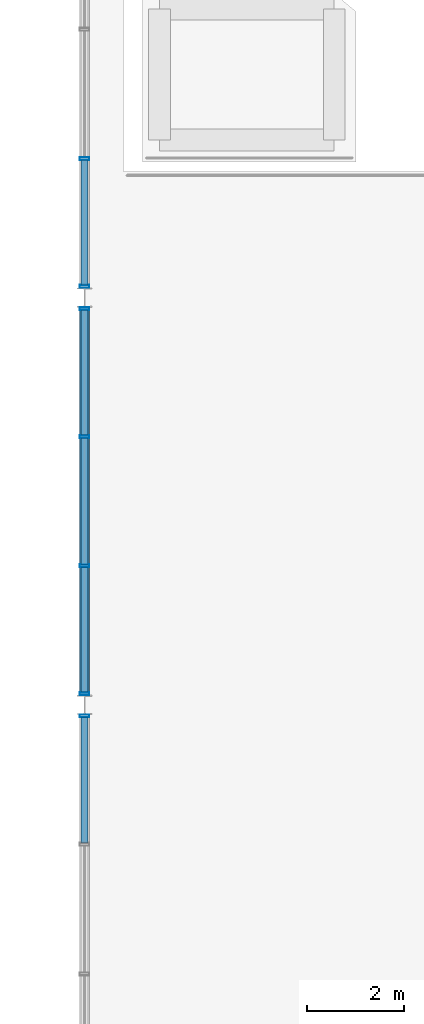
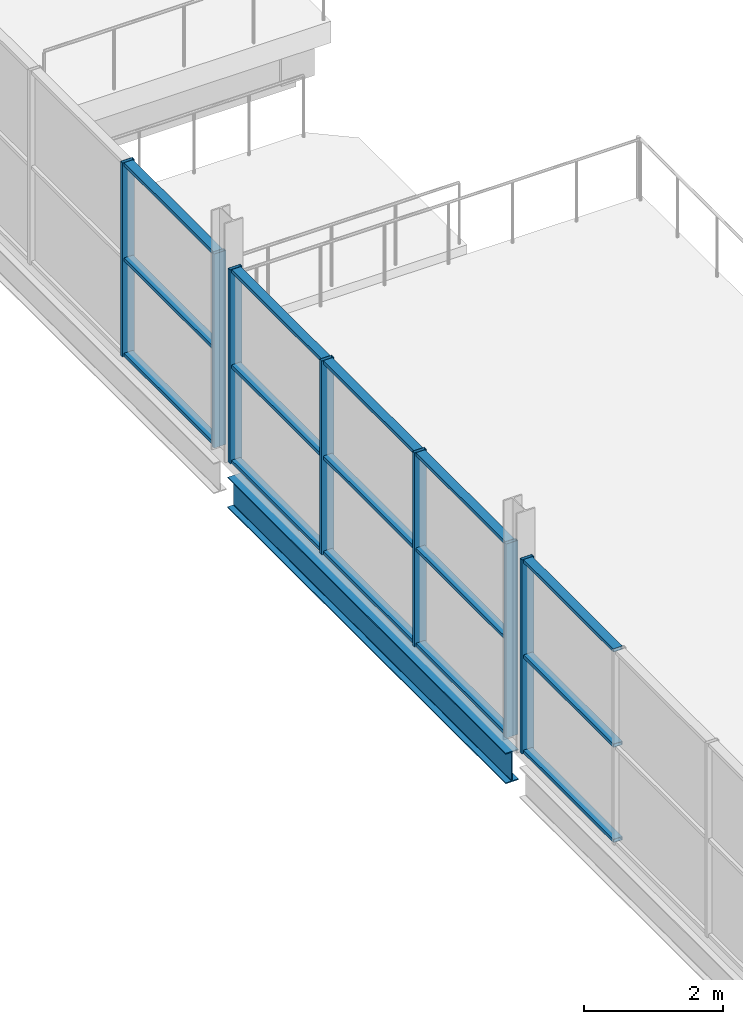
# One storey, part 21 of 93: 22 members, 1 beam, 3 elements without a shape of their own.
"""IFC4 building model written with IfcOpenShell, lengths in metres."""

from ifc_helpers import new_model, si_unit, direction, frame, origin, origin_2d, place, context, subcontext, project, spatial, hollow_rectangle, i_section, extrude, material, material_profile, profile_set, type_object, element, aggregate, save


model = new_model("IFC4")

# Units and contexts
model_context = context("Model", 3, precision=1e-05, world=origin(), true_north=direction((0.0, 1.0)))
body_context = subcontext(model_context, "Body", "Model", "MODEL_VIEW")
ifc_project = project(units=[si_unit("LENGTHUNIT", "METRE"), si_unit("AREAUNIT", "SQUARE_METRE"), si_unit("VOLUMEUNIT", "CUBIC_METRE"), si_unit("PLANEANGLEUNIT", "RADIAN"), si_unit("MASSUNIT", "GRAM", prefix="KILO"), si_unit("THERMODYNAMICTEMPERATUREUNIT", "KELVIN")], contexts=[model_context])

# Site, building, storey
site_placement = place(None, origin())
site = spatial("IfcSite", under=ifc_project, at=site_placement, CompositionType="ELEMENT")
building_placement = place(site_placement, origin())
building = spatial("IfcBuilding", under=site, at=building_placement, Name="Nduvali Passage Aquatics Centre", CompositionType="ELEMENT")
storey_placement = place(building_placement, frame((0.0, 0.0, 9.0)))
storey = spatial("IfcBuildingStorey", under=building, at=storey_placement, Name="L02", CompositionType="ELEMENT", Elevation=9.0)

# Curtain wall, member
ifc_material_1 = material(Name="Aluminium EN AW-6063 T6", Category="aluminium")
curtain_wall_type = type_object("IfcCurtainWallType", Name="ENV-CW-DIVE", PredefinedType="NOTDEFINED", material=ifc_material_1)
curtain_wall_1_placement = place(storey_placement, origin())
curtain_wall_1 = element("IfcCurtainWall", 1, at=curtain_wall_1_placement, inside=storey, type_object=curtain_wall_type, Name="L02 West Diving High Platform CW 129", PredefinedType="NOTDEFINED")
ifc_material_profile_1 = material_profile(ifc_material_1, hollow_rectangle(XDim=0.06005859375, YDim=0.199951171875, WallThickness=0.00390625, at=origin_2d()), Name="ALU MULLION 60x200x4")
ifc_profile_set_1 = profile_set([ifc_material_profile_1], Name="Aluminium EN AW-6063 T6")
member_type_1 = type_object("IfcMemberType", Name="ENV-MEM-MUL80", PredefinedType="MULLION", material=ifc_profile_set_1)
member_1_placement = place(storey_placement, frame((0.0, 50.169921875, 0.0), z_axis=(0.0, 0.0, 1.0), x_axis=(0.0, 1.0, 0.0)))
member_1 = element("IfcMember", 2, at=member_1_placement, type_object=member_type_1, Name="West Diving High Platform CW Mullion 4", PredefinedType="MULLION", context=body_context, shape_type="SweptSolid", body=[
    extrude(hollow_rectangle(XDim=0.06005859375, YDim=0.199951171875, WallThickness=0.00390625, at=origin_2d()), origin(), (0.0, 0.0, 1.0), 3.406494140625),
])

# Curtain wall, members
curtain_wall_2_placement = place(storey_placement, origin())
curtain_wall_2 = element("IfcCurtainWall", 3, at=curtain_wall_2_placement, inside=storey, type_object=curtain_wall_type, Name="L02 West Diving High Platform CW 134", PredefinedType="NOTDEFINED")
member_2_placement = place(storey_placement, frame((0.0, 50.6298828125, 0.0), z_axis=(0.0, 0.0, 1.0), x_axis=(0.0, 1.0, 0.0)))
member_2 = element("IfcMember", 4, at=member_2_placement, type_object=member_type_1, Name="West Diving High Platform CW Mullion 1", PredefinedType="MULLION", context=body_context, shape_type="SweptSolid", body=[
    extrude(hollow_rectangle(XDim=0.06005859375, YDim=0.199951171875, WallThickness=0.00390625, at=origin_2d()), origin(), (0.0, 0.0, 1.0), 3.406494140625),
])
member_3_placement = place(storey_placement, frame((0.0, 53.2666015625, 0.0), z_axis=(0.0, 0.0, 1.0), x_axis=(0.0, 1.0, 0.0)))
member_3 = element("IfcMember", 5, at=member_3_placement, type_object=member_type_1, Name="West Diving High Platform CW Mullion 2", PredefinedType="MULLION", context=body_context, shape_type="SweptSolid", body=[
    extrude(hollow_rectangle(XDim=0.06005859375, YDim=0.199951171875, WallThickness=0.00390625, at=origin_2d()), origin(), (0.0, 0.0, 1.0), 3.406494140625),
])
member_4_placement = place(storey_placement, frame((0.0, 55.933349609375, 0.0), z_axis=(0.0, 0.0, 1.0), x_axis=(0.0, 1.0, 0.0)))
member_4 = element("IfcMember", 6, at=member_4_placement, type_object=member_type_1, Name="West Diving High Platform CW Mullion 3", PredefinedType="MULLION", context=body_context, shape_type="SweptSolid", body=[
    extrude(hollow_rectangle(XDim=0.06005859375, YDim=0.199951171875, WallThickness=0.00390625, at=origin_2d()), origin(), (0.0, 0.0, 1.0), 3.406494140625),
])
member_5_placement = place(storey_placement, frame((0.0, 58.570068359375, 0.0), z_axis=(0.0, 0.0, 1.0), x_axis=(0.0, 1.0, 0.0)))
member_5 = element("IfcMember", 7, at=member_5_placement, type_object=member_type_1, Name="West Diving High Platform CW Mullion 4", PredefinedType="MULLION", context=body_context, shape_type="SweptSolid", body=[
    extrude(hollow_rectangle(XDim=0.06005859375, YDim=0.199951171875, WallThickness=0.00390625, at=origin_2d()), origin(), (0.0, 0.0, 1.0), 3.406494140625),
])

curtain_wall_3_placement = place(storey_placement, origin())
curtain_wall_3 = element("IfcCurtainWall", 8, at=curtain_wall_3_placement, inside=storey, type_object=curtain_wall_type, Name="L02 West Diving High Platform CW 139", PredefinedType="NOTDEFINED")
member_6_placement = place(storey_placement, frame((0.0, 59.030029296875, 0.0), z_axis=(0.0, 0.0, 1.0), x_axis=(0.0, 1.0, 0.0)))
member_6 = element("IfcMember", 9, at=member_6_placement, type_object=member_type_1, Name="West Diving High Platform CW Mullion 1", PredefinedType="MULLION", context=body_context, shape_type="SweptSolid", body=[
    extrude(hollow_rectangle(XDim=0.06005859375, YDim=0.199951171875, WallThickness=0.00390625, at=origin_2d()), origin(), (0.0, 0.0, 1.0), 3.406494140625),
])
member_7_placement = place(storey_placement, frame((0.0, 61.666748046875, 0.0), z_axis=(0.0, 0.0, 1.0), x_axis=(0.0, 1.0, 0.0)))
member_7 = element("IfcMember", 10, at=member_7_placement, type_object=member_type_1, Name="West Diving High Platform CW Mullion 2", PredefinedType="MULLION", context=body_context, shape_type="SweptSolid", body=[
    extrude(hollow_rectangle(XDim=0.06005859375, YDim=0.199951171875, WallThickness=0.00390625, at=origin_2d()), origin(), (0.0, 0.0, 1.0), 3.406494140625),
])

# Member
ifc_material_profile_2 = material_profile(ifc_material_1, hollow_rectangle(XDim=0.14990234375, YDim=0.06005859375, WallThickness=0.00390625, at=origin_2d()), Name="ALU TRANSOM 150x60x4")
ifc_profile_set_2 = profile_set([ifc_material_profile_2], Name="Aluminium EN AW-6063 T6")
member_type_2 = type_object("IfcMemberType", Name="ENV-MEM-TRN80", PredefinedType="USERDEFINED", material=ifc_profile_set_2)
member_8_placement = place(storey_placement, frame((0.0, 47.55322265625, 0.030029296875), z_axis=(0.0, 1.0, 0.0), x_axis=(-1.0, 0.0, 0.0)))
member_8 = element("IfcMember", 11, at=member_8_placement, type_object=member_type_2, Name="West Diving High Platform CW Transom B3-R0", ObjectType="TRANSOM", PredefinedType="USERDEFINED", context=body_context, shape_type="SweptSolid", body=[
    extrude(hollow_rectangle(XDim=0.14990234375, YDim=0.06005859375, WallThickness=0.00390625, at=origin_2d()), origin(), (0.0, 0.0, 1.0), 2.586669921875),
])

member_9_placement = place(storey_placement, frame((0.0, 47.55322265625, 1.703125), z_axis=(0.0, 1.0, 0.0), x_axis=(-1.0, 0.0, 0.0)))
member_9 = element("IfcMember", 12, at=member_9_placement, type_object=member_type_2, Name="West Diving High Platform CW Transom B3-R1", ObjectType="TRANSOM", PredefinedType="USERDEFINED", context=body_context, shape_type="SweptSolid", body=[
    extrude(hollow_rectangle(XDim=0.14990234375, YDim=0.06005859375, WallThickness=0.00390625, at=origin_2d()), origin(), (0.0, 0.0, 1.0), 2.586669921875),
])

member_10_placement = place(storey_placement, frame((0.0, 47.55322265625, 3.37646484375), z_axis=(0.0, 1.0, 0.0), x_axis=(-1.0, 0.0, 0.0)))
member_10 = element("IfcMember", 13, at=member_10_placement, type_object=member_type_2, Name="West Diving High Platform CW Transom B3-R2", ObjectType="TRANSOM", PredefinedType="USERDEFINED", context=body_context, shape_type="SweptSolid", body=[
    extrude(hollow_rectangle(XDim=0.14990234375, YDim=0.06005859375, WallThickness=0.00390625, at=origin_2d()), origin(), (0.0, 0.0, 1.0), 2.586669921875),
])

aggregate(curtain_wall_1, [member_1, member_8, member_9, member_10])

member_11_placement = place(storey_placement, frame((0.0, 50.659912109375, 0.030029296875), z_axis=(0.0, 1.0, 0.0), x_axis=(-1.0, 0.0, 0.0)))
member_11 = element("IfcMember", 14, at=member_11_placement, type_object=member_type_2, Name="West Diving High Platform CW Transom B1-R0", ObjectType="TRANSOM", PredefinedType="USERDEFINED", context=body_context, shape_type="SweptSolid", body=[
    extrude(hollow_rectangle(XDim=0.14990234375, YDim=0.06005859375, WallThickness=0.00390625, at=origin_2d()), origin(), (0.0, 0.0, 1.0), 2.576904296875),
])

member_12_placement = place(storey_placement, frame((0.0, 50.659912109375, 1.703125), z_axis=(0.0, 1.0, 0.0), x_axis=(-1.0, 0.0, 0.0)))
member_12 = element("IfcMember", 15, at=member_12_placement, type_object=member_type_2, Name="West Diving High Platform CW Transom B1-R1", ObjectType="TRANSOM", PredefinedType="USERDEFINED", context=body_context, shape_type="SweptSolid", body=[
    extrude(hollow_rectangle(XDim=0.14990234375, YDim=0.06005859375, WallThickness=0.00390625, at=origin_2d()), origin(), (0.0, 0.0, 1.0), 2.576904296875),
])

member_13_placement = place(storey_placement, frame((0.0, 50.659912109375, 3.37646484375), z_axis=(0.0, 1.0, 0.0), x_axis=(-1.0, 0.0, 0.0)))
member_13 = element("IfcMember", 16, at=member_13_placement, type_object=member_type_2, Name="West Diving High Platform CW Transom B1-R2", ObjectType="TRANSOM", PredefinedType="USERDEFINED", context=body_context, shape_type="SweptSolid", body=[
    extrude(hollow_rectangle(XDim=0.14990234375, YDim=0.06005859375, WallThickness=0.00390625, at=origin_2d()), origin(), (0.0, 0.0, 1.0), 2.576904296875),
])

member_14_placement = place(storey_placement, frame((0.0, 53.296630859375, 0.030029296875), z_axis=(0.0, 1.0, 0.0), x_axis=(-1.0, 0.0, 0.0)))
member_14 = element("IfcMember", 17, at=member_14_placement, type_object=member_type_2, Name="West Diving High Platform CW Transom B2-R0", ObjectType="TRANSOM", PredefinedType="USERDEFINED", context=body_context, shape_type="SweptSolid", body=[
    extrude(hollow_rectangle(XDim=0.14990234375, YDim=0.06005859375, WallThickness=0.00390625, at=origin_2d()), origin(), (0.0, 0.0, 1.0), 2.606689453125),
])

member_15_placement = place(storey_placement, frame((0.0, 53.296630859375, 1.703125), z_axis=(0.0, 1.0, 0.0), x_axis=(-1.0, 0.0, 0.0)))
member_15 = element("IfcMember", 18, at=member_15_placement, type_object=member_type_2, Name="West Diving High Platform CW Transom B2-R1", ObjectType="TRANSOM", PredefinedType="USERDEFINED", context=body_context, shape_type="SweptSolid", body=[
    extrude(hollow_rectangle(XDim=0.14990234375, YDim=0.06005859375, WallThickness=0.00390625, at=origin_2d()), origin(), (0.0, 0.0, 1.0), 2.606689453125),
])

member_16_placement = place(storey_placement, frame((0.0, 53.296630859375, 3.37646484375), z_axis=(0.0, 1.0, 0.0), x_axis=(-1.0, 0.0, 0.0)))
member_16 = element("IfcMember", 19, at=member_16_placement, type_object=member_type_2, Name="West Diving High Platform CW Transom B2-R2", ObjectType="TRANSOM", PredefinedType="USERDEFINED", context=body_context, shape_type="SweptSolid", body=[
    extrude(hollow_rectangle(XDim=0.14990234375, YDim=0.06005859375, WallThickness=0.00390625, at=origin_2d()), origin(), (0.0, 0.0, 1.0), 2.606689453125),
])

member_17_placement = place(storey_placement, frame((0.0, 55.96337890625, 0.030029296875), z_axis=(0.0, 1.0, 0.0), x_axis=(-1.0, 0.0, 0.0)))
member_17 = element("IfcMember", 20, at=member_17_placement, type_object=member_type_2, Name="West Diving High Platform CW Transom B3-R0", ObjectType="TRANSOM", PredefinedType="USERDEFINED", context=body_context, shape_type="SweptSolid", body=[
    extrude(hollow_rectangle(XDim=0.14990234375, YDim=0.06005859375, WallThickness=0.00390625, at=origin_2d()), origin(), (0.0, 0.0, 1.0), 2.57666015625),
])

member_18_placement = place(storey_placement, frame((0.0, 55.96337890625, 1.703125), z_axis=(0.0, 1.0, 0.0), x_axis=(-1.0, 0.0, 0.0)))
member_18 = element("IfcMember", 21, at=member_18_placement, type_object=member_type_2, Name="West Diving High Platform CW Transom B3-R1", ObjectType="TRANSOM", PredefinedType="USERDEFINED", context=body_context, shape_type="SweptSolid", body=[
    extrude(hollow_rectangle(XDim=0.14990234375, YDim=0.06005859375, WallThickness=0.00390625, at=origin_2d()), origin(), (0.0, 0.0, 1.0), 2.57666015625),
])

member_19_placement = place(storey_placement, frame((0.0, 55.96337890625, 3.37646484375), z_axis=(0.0, 1.0, 0.0), x_axis=(-1.0, 0.0, 0.0)))
member_19 = element("IfcMember", 22, at=member_19_placement, type_object=member_type_2, Name="West Diving High Platform CW Transom B3-R2", ObjectType="TRANSOM", PredefinedType="USERDEFINED", context=body_context, shape_type="SweptSolid", body=[
    extrude(hollow_rectangle(XDim=0.14990234375, YDim=0.06005859375, WallThickness=0.00390625, at=origin_2d()), origin(), (0.0, 0.0, 1.0), 2.57666015625),
])

aggregate(curtain_wall_2, [member_2, member_3, member_4, member_5, member_11, member_12, member_13, member_14, member_15, member_16, member_17, member_18, member_19])

member_20_placement = place(storey_placement, frame((0.0, 59.06005859375, 0.030029296875), z_axis=(0.0, 1.0, 0.0), x_axis=(-1.0, 0.0, 0.0)))
member_20 = element("IfcMember", 23, at=member_20_placement, type_object=member_type_2, Name="West Diving High Platform CW Transom B1-R0", ObjectType="TRANSOM", PredefinedType="USERDEFINED", context=body_context, shape_type="SweptSolid", body=[
    extrude(hollow_rectangle(XDim=0.14990234375, YDim=0.06005859375, WallThickness=0.00390625, at=origin_2d()), origin(), (0.0, 0.0, 1.0), 2.57666015625),
])

member_21_placement = place(storey_placement, frame((0.0, 59.06005859375, 1.703125), z_axis=(0.0, 1.0, 0.0), x_axis=(-1.0, 0.0, 0.0)))
member_21 = element("IfcMember", 24, at=member_21_placement, type_object=member_type_2, Name="West Diving High Platform CW Transom B1-R1", ObjectType="TRANSOM", PredefinedType="USERDEFINED", context=body_context, shape_type="SweptSolid", body=[
    extrude(hollow_rectangle(XDim=0.14990234375, YDim=0.06005859375, WallThickness=0.00390625, at=origin_2d()), origin(), (0.0, 0.0, 1.0), 2.57666015625),
])

member_22_placement = place(storey_placement, frame((0.0, 59.06005859375, 3.37646484375), z_axis=(0.0, 1.0, 0.0), x_axis=(-1.0, 0.0, 0.0)))
member_22 = element("IfcMember", 25, at=member_22_placement, type_object=member_type_2, Name="West Diving High Platform CW Transom B1-R2", ObjectType="TRANSOM", PredefinedType="USERDEFINED", context=body_context, shape_type="SweptSolid", body=[
    extrude(hollow_rectangle(XDim=0.14990234375, YDim=0.06005859375, WallThickness=0.00390625, at=origin_2d()), origin(), (0.0, 0.0, 1.0), 2.57666015625),
])

aggregate(curtain_wall_3, [member_6, member_7, member_20, member_21, member_22])

# Beam
ifc_material_2 = material(Name="Steel S355", Category="steel")
ifc_material_profile_3 = material_profile(ifc_material_2, i_section(OverallWidth=0.210693359375, OverallDepth=0.53955078125, WebThickness=0.01171875, FlangeThickness=0.018798828125, FilletRadius=0.0126953125, at=origin_2d()), Name="UKB 533x210x109")
ifc_profile_set_3 = profile_set([ifc_material_profile_3], Name="Steel S355")
beam_type = type_object("IfcBeamType", Name="STR-BM-UKB533-EXT", PredefinedType="BEAM", material=ifc_profile_set_3)
beam_placement = place(storey_placement, frame((0.0, 50.60009765625, -0.53369140625), z_axis=(0.0, 1.0, 0.0), x_axis=(-1.0, 0.0, 0.0)))
element("IfcBeam", 26, at=beam_placement, inside=storey, type_object=beam_type, Name="L02 Primary Y-Girder B6E-0952", PredefinedType="BEAM", context=body_context, shape_type="SweptSolid", body=[
    extrude(i_section(OverallWidth=0.210693359375, OverallDepth=0.53955078125, WebThickness=0.01171875, FlangeThickness=0.018798828125, FilletRadius=0.0126953125, at=origin_2d()), origin(), (0.0, 0.0, 1.0), 8.0),
])

save(model, "model.ifc")
